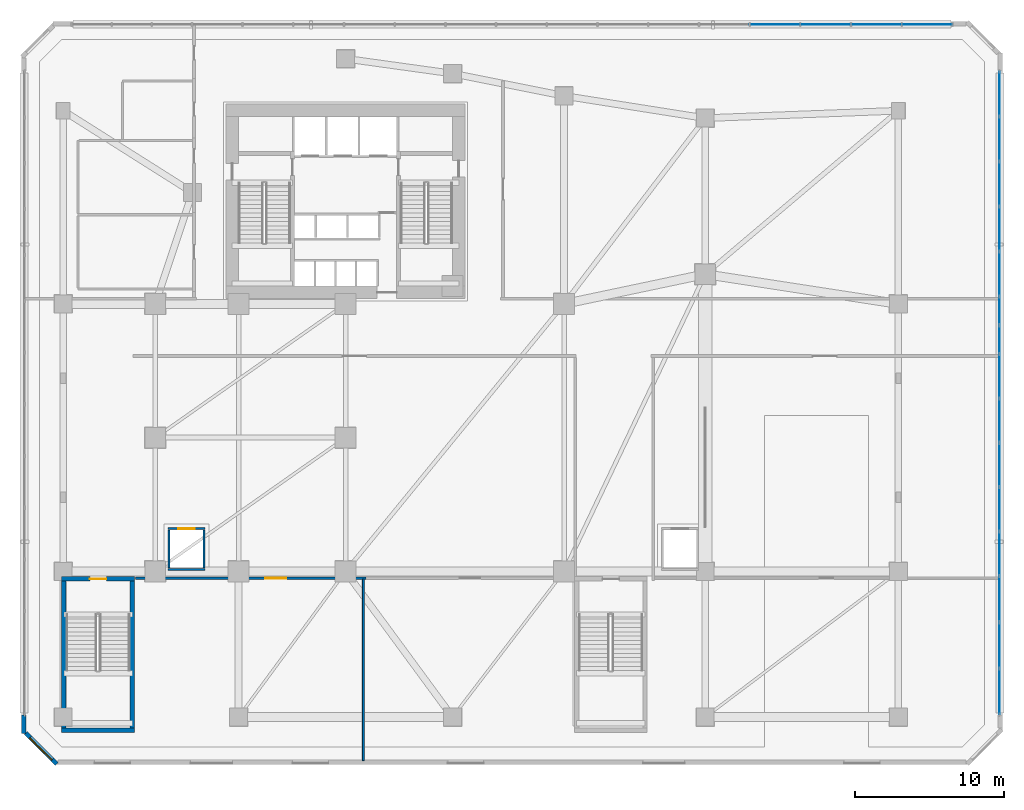
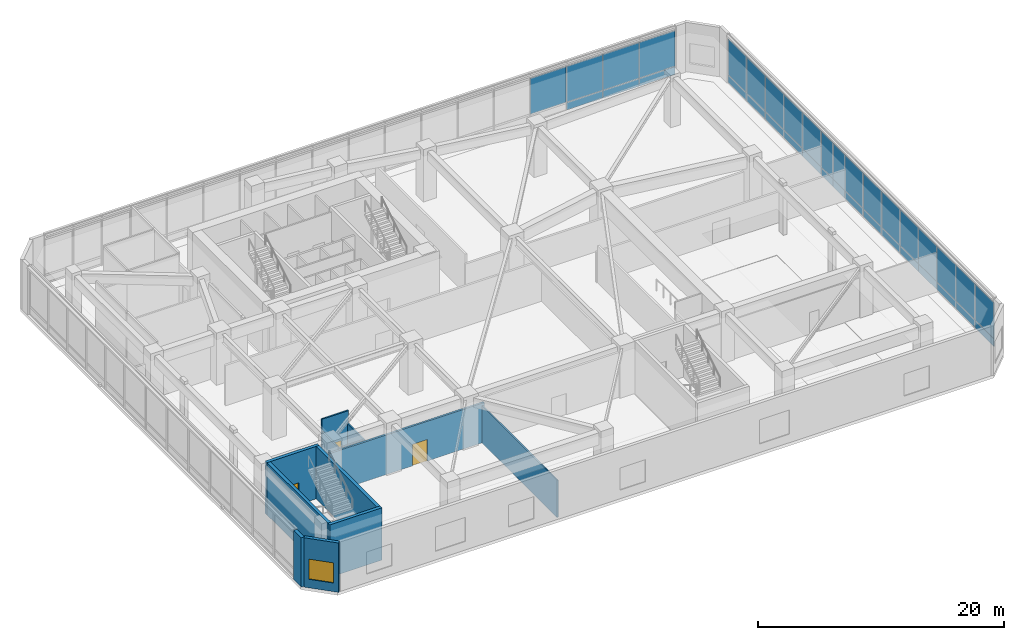
# One storey, part 9 of 18: 37 plates, 12 walls, 3 doors, 1 window, 4 openings, 2 elements without a shape of their own.
"""IFC4 building model written with IfcOpenShell, lengths in metres."""

from ifc_helpers import new_model, si_unit, direction, frame, frame_2d, origin, place, context, subcontext, project, spatial, rectangle, extrude, source, transform, mapped, material, layer, layer_set, type_object, element, fill, aggregate, save


model = new_model("IFC4")

# Units and contexts
model_context = context("Model", 3, precision=1e-05, world=origin(), true_north=direction((0.0, 1.0)))
body_context = subcontext(model_context, "Body", "Model", "MODEL_VIEW")
ifc_project = project(units=[si_unit("LENGTHUNIT", "METRE"), si_unit("AREAUNIT", "SQUARE_METRE"), si_unit("VOLUMEUNIT", "CUBIC_METRE"), si_unit("PLANEANGLEUNIT", "RADIAN"), si_unit("MASSUNIT", "GRAM", prefix="KILO")], contexts=[model_context])

# Site, building, storey
site_placement = place(None, origin())
site = spatial("IfcSite", under=ifc_project, at=site_placement, CompositionType="ELEMENT")
building_placement = place(site_placement, origin())
building = spatial("IfcBuilding", under=site, at=building_placement, Name="Calvemar Wedge Station Tower", CompositionType="ELEMENT")
storey_placement = place(building_placement, frame((0.0, 0.0, 11.199951171875)))
storey = spatial("IfcBuildingStorey", under=building, at=storey_placement, Name="L03", CompositionType="ELEMENT", Elevation=11.199951171875)

# Curtain wall, plates
ifc_material_1 = material(Name="Anodised aluminium 6063-T6", Category="aluminium")
curtain_wall_type = type_object("IfcCurtainWallType", Name="CW5", PredefinedType="NOTDEFINED", material=ifc_material_1)
curtain_wall_1_placement = place(storey_placement, origin())
curtain_wall_1 = element("IfcCurtainWall", 1, at=curtain_wall_1_placement, inside=storey, type_object=curtain_wall_type, Name="Storey L03 CW5 Recessed Unitised Curtain Wall 2", PredefinedType="NOTDEFINED")
ifc_material_2 = material(Name="Low-E laminated insulated glass", Category="glass")
ifc_layer_1 = layer(ifc_material_2, 0.028076171875)
ifc_layer_set_1 = layer_set([ifc_layer_1], Name="Low-E laminated insulated glass")
plate_type_1 = type_object("IfcPlateType", Name="CW5-GLZ", PredefinedType="CURTAIN_PANEL", material=ifc_layer_set_1)
plate_1_placement = place(storey_placement, frame((67.7900390625, 5.380126953125, 0.8701171875), z_axis=(0.0, 0.0, 1.0), x_axis=(0.0, 1.0, 0.0)))
plate_1 = element("IfcPlate", 2, at=plate_1_placement, type_object=plate_type_1, Name="CW5 vision glass panel 1", PredefinedType="CURTAIN_PANEL", context=body_context, shape_type="SweptSolid", body=[
    extrude(rectangle(XDim=3.0732421875, YDim=0.028076171875, at=frame_2d((1.53662109375, 0.0))), origin(), (0.0, 0.0, 1.0), 3.559814453125),
])
plate_2_placement = place(storey_placement, frame((67.7900390625, 8.489501953125, 0.8701171875), z_axis=(0.0, 0.0, 1.0), x_axis=(0.0, 1.0, 0.0)))
plate_2 = element("IfcPlate", 3, at=plate_2_placement, type_object=plate_type_1, Name="CW5 vision glass panel 2", PredefinedType="CURTAIN_PANEL", context=body_context, shape_type="SweptSolid", body=[
    extrude(rectangle(XDim=3.0732421875, YDim=0.028076171875, at=frame_2d((1.53662109375, 0.0))), origin(), (0.0, 0.0, 1.0), 3.559814453125),
])
plate_3_placement = place(storey_placement, frame((67.7900390625, 11.5986328125, 0.8701171875), z_axis=(0.0, 0.0, 1.0), x_axis=(0.0, 1.0, 0.0)))
plate_3 = element("IfcPlate", 4, at=plate_3_placement, type_object=plate_type_1, Name="CW5 vision glass panel 3", PredefinedType="CURTAIN_PANEL", context=body_context, shape_type="SweptSolid", body=[
    extrude(rectangle(XDim=3.073486328125, YDim=0.028076171875, at=frame_2d((1.53662109375, 0.0))), origin(), (0.0, 0.0, 1.0), 3.559814453125),
])
plate_4_placement = place(storey_placement, frame((67.7900390625, 14.7080078125, 0.8701171875), z_axis=(0.0, 0.0, 1.0), x_axis=(0.0, 1.0, 0.0)))
plate_4 = element("IfcPlate", 5, at=plate_4_placement, type_object=plate_type_1, Name="CW5 vision glass panel 4", PredefinedType="CURTAIN_PANEL", context=body_context, shape_type="SweptSolid", body=[
    extrude(rectangle(XDim=2.9541015625, YDim=0.028076171875, at=frame_2d((1.47705078125, 0.0))), origin(), (0.0, 0.0, 1.0), 3.559814453125),
])
plate_5_placement = place(storey_placement, frame((67.7900390625, 17.697998046875, 0.8701171875), z_axis=(0.0, 0.0, 1.0), x_axis=(0.0, 1.0, 0.0)))
plate_5 = element("IfcPlate", 6, at=plate_5_placement, type_object=plate_type_1, Name="CW5 vision glass panel 5", PredefinedType="CURTAIN_PANEL", context=body_context, shape_type="SweptSolid", body=[
    extrude(rectangle(XDim=2.9541015625, YDim=0.028076171875, at=frame_2d((1.47705078125, 0.0))), origin(), (0.0, 0.0, 1.0), 3.559814453125),
])
plate_6_placement = place(storey_placement, frame((67.7900390625, 20.68798828125, 0.8701171875), z_axis=(0.0, 0.0, 1.0), x_axis=(0.0, 1.0, 0.0)))
plate_6 = element("IfcPlate", 7, at=plate_6_placement, type_object=plate_type_1, Name="CW5 vision glass panel 6", PredefinedType="CURTAIN_PANEL", context=body_context, shape_type="SweptSolid", body=[
    extrude(rectangle(XDim=2.9541015625, YDim=0.028076171875, at=frame_2d((1.47705078125, 0.0))), origin(), (0.0, 0.0, 1.0), 3.559814453125),
])
plate_7_placement = place(storey_placement, frame((67.7900390625, 23.677978515625, 0.8701171875), z_axis=(0.0, 0.0, 1.0), x_axis=(0.0, 1.0, 0.0)))
plate_7 = element("IfcPlate", 8, at=plate_7_placement, type_object=plate_type_1, Name="CW5 vision glass panel 7", PredefinedType="CURTAIN_PANEL", context=body_context, shape_type="SweptSolid", body=[
    extrude(rectangle(XDim=2.9541015625, YDim=0.028076171875, at=frame_2d((1.47705078125, 0.0))), origin(), (0.0, 0.0, 1.0), 3.559814453125),
])
plate_8_placement = place(storey_placement, frame((67.7900390625, 26.66796875, 0.8701171875), z_axis=(0.0, 0.0, 1.0), x_axis=(0.0, 1.0, 0.0)))
plate_8 = element("IfcPlate", 9, at=plate_8_placement, type_object=plate_type_1, Name="CW5 vision glass panel 8", PredefinedType="CURTAIN_PANEL", context=body_context, shape_type="SweptSolid", body=[
    extrude(rectangle(XDim=2.9541015625, YDim=0.028076171875, at=frame_2d((1.47705078125, 0.0))), origin(), (0.0, 0.0, 1.0), 3.559814453125),
])
plate_9_placement = place(storey_placement, frame((67.7900390625, 29.657958984375, 0.8701171875), z_axis=(0.0, 0.0, 1.0), x_axis=(0.0, 1.0, 0.0)))
plate_9 = element("IfcPlate", 10, at=plate_9_placement, type_object=plate_type_1, Name="CW5 vision glass panel 9", PredefinedType="CURTAIN_PANEL", context=body_context, shape_type="SweptSolid", body=[
    extrude(rectangle(XDim=1.88916015625, YDim=0.028076171875, at=frame_2d((0.944580078125, 0.0))), origin(), (0.0, 0.0, 1.0), 3.559814453125),
])
plate_10_placement = place(storey_placement, frame((67.7900390625, 31.5830078125, 0.8701171875), z_axis=(0.0, 0.0, 1.0), x_axis=(0.0, 1.0, 0.0)))
plate_10 = element("IfcPlate", 11, at=plate_10_placement, type_object=plate_type_1, Name="CW5 vision glass panel 10", PredefinedType="CURTAIN_PANEL", context=body_context, shape_type="SweptSolid", body=[
    extrude(rectangle(XDim=1.888916015625, YDim=0.028076171875, at=frame_2d((0.9443359375, 0.0))), origin(), (0.0, 0.0, 1.0), 3.559814453125),
])
plate_11_placement = place(storey_placement, frame((67.7900390625, 33.508056640625, 0.8701171875), z_axis=(0.0, 0.0, 1.0), x_axis=(0.0, 1.0, 0.0)))
plate_11 = element("IfcPlate", 12, at=plate_11_placement, type_object=plate_type_1, Name="CW5 vision glass panel 11", PredefinedType="CURTAIN_PANEL", context=body_context, shape_type="SweptSolid", body=[
    extrude(rectangle(XDim=2.99365234375, YDim=0.028076171875, at=frame_2d((1.496826171875, 0.0))), origin(), (0.0, 0.0, 1.0), 3.559814453125),
])
plate_12_placement = place(storey_placement, frame((67.7900390625, 36.53759765625, 0.8701171875), z_axis=(0.0, 0.0, 1.0), x_axis=(0.0, 1.0, 0.0)))
plate_12 = element("IfcPlate", 13, at=plate_12_placement, type_object=plate_type_1, Name="CW5 vision glass panel 12", PredefinedType="CURTAIN_PANEL", context=body_context, shape_type="SweptSolid", body=[
    extrude(rectangle(XDim=2.99365234375, YDim=0.028076171875, at=frame_2d((1.496826171875, 0.0))), origin(), (0.0, 0.0, 1.0), 3.559814453125),
])
plate_13_placement = place(storey_placement, frame((67.7900390625, 39.567138671875, 0.8701171875), z_axis=(0.0, 0.0, 1.0), x_axis=(0.0, 1.0, 0.0)))
plate_13 = element("IfcPlate", 14, at=plate_13_placement, type_object=plate_type_1, Name="CW5 vision glass panel 13", PredefinedType="CURTAIN_PANEL", context=body_context, shape_type="SweptSolid", body=[
    extrude(rectangle(XDim=2.99365234375, YDim=0.028076171875, at=frame_2d((1.496826171875, 0.0))), origin(), (0.0, 0.0, 1.0), 3.559814453125),
])
plate_14_placement = place(storey_placement, frame((67.7900390625, 42.5966796875, 0.8701171875), z_axis=(0.0, 0.0, 1.0), x_axis=(0.0, 1.0, 0.0)))
plate_14 = element("IfcPlate", 15, at=plate_14_placement, type_object=plate_type_1, Name="CW5 vision glass panel 14", PredefinedType="CURTAIN_PANEL", context=body_context, shape_type="SweptSolid", body=[
    extrude(rectangle(XDim=2.99365234375, YDim=0.028076171875, at=frame_2d((1.496826171875, 0.0))), origin(), (0.0, 0.0, 1.0), 3.559814453125),
])
plate_15_placement = place(storey_placement, frame((67.7900390625, 45.626220703125, 0.8701171875), z_axis=(0.0, 0.0, 1.0), x_axis=(0.0, 1.0, 0.0)))
plate_15 = element("IfcPlate", 16, at=plate_15_placement, type_object=plate_type_1, Name="CW5 vision glass panel 15", PredefinedType="CURTAIN_PANEL", context=body_context, shape_type="SweptSolid", body=[
    extrude(rectangle(XDim=2.99365234375, YDim=0.028076171875, at=frame_2d((1.496826171875, 0.0))), origin(), (0.0, 0.0, 1.0), 3.559814453125),
])

curtain_wall_2_placement = place(storey_placement, origin())
curtain_wall_2 = element("IfcCurtainWall", 17, at=curtain_wall_2_placement, inside=storey, type_object=curtain_wall_type, Name="Storey L03 CW5 Recessed Unitised Curtain Wall 4", PredefinedType="NOTDEFINED")
plate_16_placement = place(storey_placement, frame((64.619873046875, 51.7900390625, 0.8701171875), z_axis=(0.0, 0.0, 1.0), x_axis=(-1.0, 0.0, 0.0)))
plate_16 = element("IfcPlate", 18, at=plate_16_placement, type_object=plate_type_1, Name="CW5 vision glass panel 1", PredefinedType="CURTAIN_PANEL", context=body_context, shape_type="SweptSolid", body=[
    extrude(rectangle(XDim=3.3759765625, YDim=0.028076171875, at=frame_2d((1.68798828125, 0.0))), origin(), (0.0, 0.0, 1.0), 3.559814453125),
])
plate_17_placement = place(storey_placement, frame((61.2080078125, 51.7900390625, 0.8701171875), z_axis=(0.0, 0.0, 1.0), x_axis=(-1.0, 0.0, 0.0)))
plate_17 = element("IfcPlate", 19, at=plate_17_placement, type_object=plate_type_1, Name="CW5 vision glass panel 2", PredefinedType="CURTAIN_PANEL", context=body_context, shape_type="SweptSolid", body=[
    extrude(rectangle(XDim=3.375732421875, YDim=0.028076171875, at=frame_2d((1.68798828125, 0.0))), origin(), (0.0, 0.0, 1.0), 3.559814453125),
])
plate_18_placement = place(storey_placement, frame((57.796142578125, 51.7900390625, 0.8701171875), z_axis=(0.0, 0.0, 1.0), x_axis=(-1.0, 0.0, 0.0)))
plate_18 = element("IfcPlate", 20, at=plate_18_placement, type_object=plate_type_1, Name="CW5 vision glass panel 3", PredefinedType="CURTAIN_PANEL", context=body_context, shape_type="SweptSolid", body=[
    extrude(rectangle(XDim=3.375732421875, YDim=0.028076171875, at=frame_2d((1.68798828125, 0.0))), origin(), (0.0, 0.0, 1.0), 3.559814453125),
])
plate_19_placement = place(storey_placement, frame((54.38427734375, 51.7900390625, 0.8701171875), z_axis=(0.0, 0.0, 1.0), x_axis=(-1.0, 0.0, 0.0)))
plate_19 = element("IfcPlate", 21, at=plate_19_placement, type_object=plate_type_1, Name="CW5 vision glass panel 4", PredefinedType="CURTAIN_PANEL", context=body_context, shape_type="SweptSolid", body=[
    extrude(rectangle(XDim=3.375732421875, YDim=0.028076171875, at=frame_2d((1.68798828125, 0.0))), origin(), (0.0, 0.0, 1.0), 3.559814453125),
])

# Plate
ifc_material_3 = material(Name="Oxidized bronze aluminium spandrel panel 5005-H24", Category="aluminium")
ifc_layer_2 = layer(ifc_material_3, 0.0400390625)
ifc_layer_set_2 = layer_set([ifc_layer_2], Name="Oxidized bronze aluminium spandrel panel 5005-H24")
plate_type_2 = type_object("IfcPlateType", Name="CW5-SPD", PredefinedType="SHEET", material=ifc_layer_set_2)
plate_20_placement = place(storey_placement, frame((67.7900390625, 5.380126953125, 0.080078125), z_axis=(0.0, 0.0, 1.0), x_axis=(0.0, 1.0, 0.0)))
plate_20 = element("IfcPlate", 22, at=plate_20_placement, type_object=plate_type_2, Name="CW5 bronze spandrel panel 1", PredefinedType="SHEET", context=body_context, shape_type="SweptSolid", body=[
    extrude(rectangle(XDim=3.0732421875, YDim=0.0400390625, at=frame_2d((1.53662109375, 0.0))), origin(), (0.0, 0.0, 1.0), 0.75),
])

plate_21_placement = place(storey_placement, frame((67.7900390625, 8.489501953125, 0.080078125), z_axis=(0.0, 0.0, 1.0), x_axis=(0.0, 1.0, 0.0)))
plate_21 = element("IfcPlate", 23, at=plate_21_placement, type_object=plate_type_2, Name="CW5 bronze spandrel panel 2", PredefinedType="SHEET", context=body_context, shape_type="SweptSolid", body=[
    extrude(rectangle(XDim=3.0732421875, YDim=0.0400390625, at=frame_2d((1.53662109375, 0.0))), origin(), (0.0, 0.0, 1.0), 0.75),
])

plate_22_placement = place(storey_placement, frame((67.7900390625, 11.5986328125, 0.080078125), z_axis=(0.0, 0.0, 1.0), x_axis=(0.0, 1.0, 0.0)))
plate_22 = element("IfcPlate", 24, at=plate_22_placement, type_object=plate_type_2, Name="CW5 bronze spandrel panel 3", PredefinedType="SHEET", context=body_context, shape_type="SweptSolid", body=[
    extrude(rectangle(XDim=3.073486328125, YDim=0.0400390625, at=frame_2d((1.53662109375, 0.0))), origin(), (0.0, 0.0, 1.0), 0.75),
])

plate_23_placement = place(storey_placement, frame((67.7900390625, 14.7080078125, 0.080078125), z_axis=(0.0, 0.0, 1.0), x_axis=(0.0, 1.0, 0.0)))
plate_23 = element("IfcPlate", 25, at=plate_23_placement, type_object=plate_type_2, Name="CW5 bronze spandrel panel 4", PredefinedType="SHEET", context=body_context, shape_type="SweptSolid", body=[
    extrude(rectangle(XDim=2.9541015625, YDim=0.0400390625, at=frame_2d((1.47705078125, 0.0))), origin(), (0.0, 0.0, 1.0), 0.75),
])

plate_24_placement = place(storey_placement, frame((67.7900390625, 17.697998046875, 0.080078125), z_axis=(0.0, 0.0, 1.0), x_axis=(0.0, 1.0, 0.0)))
plate_24 = element("IfcPlate", 26, at=plate_24_placement, type_object=plate_type_2, Name="CW5 bronze spandrel panel 5", PredefinedType="SHEET", context=body_context, shape_type="SweptSolid", body=[
    extrude(rectangle(XDim=2.9541015625, YDim=0.0400390625, at=frame_2d((1.47705078125, 0.0))), origin(), (0.0, 0.0, 1.0), 0.75),
])

plate_25_placement = place(storey_placement, frame((67.7900390625, 20.68798828125, 0.080078125), z_axis=(0.0, 0.0, 1.0), x_axis=(0.0, 1.0, 0.0)))
plate_25 = element("IfcPlate", 27, at=plate_25_placement, type_object=plate_type_2, Name="CW5 bronze spandrel panel 6", PredefinedType="SHEET", context=body_context, shape_type="SweptSolid", body=[
    extrude(rectangle(XDim=2.9541015625, YDim=0.0400390625, at=frame_2d((1.47705078125, 0.0))), origin(), (0.0, 0.0, 1.0), 0.75),
])

plate_26_placement = place(storey_placement, frame((67.7900390625, 23.677978515625, 0.080078125), z_axis=(0.0, 0.0, 1.0), x_axis=(0.0, 1.0, 0.0)))
plate_26 = element("IfcPlate", 28, at=plate_26_placement, type_object=plate_type_2, Name="CW5 bronze spandrel panel 7", PredefinedType="SHEET", context=body_context, shape_type="SweptSolid", body=[
    extrude(rectangle(XDim=2.9541015625, YDim=0.0400390625, at=frame_2d((1.47705078125, 0.0))), origin(), (0.0, 0.0, 1.0), 0.75),
])

plate_27_placement = place(storey_placement, frame((67.7900390625, 26.66796875, 0.080078125), z_axis=(0.0, 0.0, 1.0), x_axis=(0.0, 1.0, 0.0)))
plate_27 = element("IfcPlate", 29, at=plate_27_placement, type_object=plate_type_2, Name="CW5 bronze spandrel panel 8", PredefinedType="SHEET", context=body_context, shape_type="SweptSolid", body=[
    extrude(rectangle(XDim=2.9541015625, YDim=0.0400390625, at=frame_2d((1.47705078125, 0.0))), origin(), (0.0, 0.0, 1.0), 0.75),
])

plate_28_placement = place(storey_placement, frame((67.7900390625, 29.657958984375, 0.080078125), z_axis=(0.0, 0.0, 1.0), x_axis=(0.0, 1.0, 0.0)))
plate_28 = element("IfcPlate", 30, at=plate_28_placement, type_object=plate_type_2, Name="CW5 bronze spandrel panel 9", PredefinedType="SHEET", context=body_context, shape_type="SweptSolid", body=[
    extrude(rectangle(XDim=1.88916015625, YDim=0.0400390625, at=frame_2d((0.944580078125, 0.0))), origin(), (0.0, 0.0, 1.0), 0.75),
])

plate_29_placement = place(storey_placement, frame((67.7900390625, 31.5830078125, 0.080078125), z_axis=(0.0, 0.0, 1.0), x_axis=(0.0, 1.0, 0.0)))
plate_29 = element("IfcPlate", 31, at=plate_29_placement, type_object=plate_type_2, Name="CW5 bronze spandrel panel 10", PredefinedType="SHEET", context=body_context, shape_type="SweptSolid", body=[
    extrude(rectangle(XDim=1.888916015625, YDim=0.0400390625, at=frame_2d((0.9443359375, 0.0))), origin(), (0.0, 0.0, 1.0), 0.75),
])

plate_30_placement = place(storey_placement, frame((67.7900390625, 33.508056640625, 0.080078125), z_axis=(0.0, 0.0, 1.0), x_axis=(0.0, 1.0, 0.0)))
plate_30 = element("IfcPlate", 32, at=plate_30_placement, type_object=plate_type_2, Name="CW5 bronze spandrel panel 11", PredefinedType="SHEET", context=body_context, shape_type="SweptSolid", body=[
    extrude(rectangle(XDim=2.99365234375, YDim=0.0400390625, at=frame_2d((1.496826171875, 0.0))), origin(), (0.0, 0.0, 1.0), 0.75),
])

plate_31_placement = place(storey_placement, frame((67.7900390625, 36.53759765625, 0.080078125), z_axis=(0.0, 0.0, 1.0), x_axis=(0.0, 1.0, 0.0)))
plate_31 = element("IfcPlate", 33, at=plate_31_placement, type_object=plate_type_2, Name="CW5 bronze spandrel panel 12", PredefinedType="SHEET", context=body_context, shape_type="SweptSolid", body=[
    extrude(rectangle(XDim=2.99365234375, YDim=0.0400390625, at=frame_2d((1.496826171875, 0.0))), origin(), (0.0, 0.0, 1.0), 0.75),
])

plate_32_placement = place(storey_placement, frame((67.7900390625, 39.567138671875, 0.080078125), z_axis=(0.0, 0.0, 1.0), x_axis=(0.0, 1.0, 0.0)))
plate_32 = element("IfcPlate", 34, at=plate_32_placement, type_object=plate_type_2, Name="CW5 bronze spandrel panel 13", PredefinedType="SHEET", context=body_context, shape_type="SweptSolid", body=[
    extrude(rectangle(XDim=2.99365234375, YDim=0.0400390625, at=frame_2d((1.496826171875, 0.0))), origin(), (0.0, 0.0, 1.0), 0.75),
])

plate_33_placement = place(storey_placement, frame((67.7900390625, 42.5966796875, 0.080078125), z_axis=(0.0, 0.0, 1.0), x_axis=(0.0, 1.0, 0.0)))
plate_33 = element("IfcPlate", 35, at=plate_33_placement, type_object=plate_type_2, Name="CW5 bronze spandrel panel 14", PredefinedType="SHEET", context=body_context, shape_type="SweptSolid", body=[
    extrude(rectangle(XDim=2.99365234375, YDim=0.0400390625, at=frame_2d((1.496826171875, 0.0))), origin(), (0.0, 0.0, 1.0), 0.75),
])

plate_34_placement = place(storey_placement, frame((67.7900390625, 45.626220703125, 0.080078125), z_axis=(0.0, 0.0, 1.0), x_axis=(0.0, 1.0, 0.0)))
plate_34 = element("IfcPlate", 36, at=plate_34_placement, type_object=plate_type_2, Name="CW5 bronze spandrel panel 15", PredefinedType="SHEET", context=body_context, shape_type="SweptSolid", body=[
    extrude(rectangle(XDim=2.99365234375, YDim=0.0400390625, at=frame_2d((1.496826171875, 0.0))), origin(), (0.0, 0.0, 1.0), 0.75),
])

aggregate(curtain_wall_1, [plate_20, plate_1, plate_21, plate_2, plate_22, plate_3, plate_23, plate_4, plate_24, plate_5, plate_25, plate_6, plate_26, plate_7, plate_27, plate_8, plate_28, plate_9, plate_29, plate_10, plate_30, plate_11, plate_31, plate_12, plate_32, plate_13, plate_33, plate_14, plate_34, plate_15])

plate_35_placement = place(storey_placement, frame((64.619873046875, 51.7900390625, 0.080078125), z_axis=(0.0, 0.0, 1.0), x_axis=(-1.0, 0.0, 0.0)))
plate_35 = element("IfcPlate", 37, at=plate_35_placement, type_object=plate_type_2, Name="CW5 bronze spandrel panel 1", PredefinedType="SHEET", context=body_context, shape_type="SweptSolid", body=[
    extrude(rectangle(XDim=3.3759765625, YDim=0.0400390625, at=frame_2d((1.68798828125, 0.0))), origin(), (0.0, 0.0, 1.0), 0.75),
])

plate_36_placement = place(storey_placement, frame((61.2080078125, 51.7900390625, 0.080078125), z_axis=(0.0, 0.0, 1.0), x_axis=(-1.0, 0.0, 0.0)))
plate_36 = element("IfcPlate", 38, at=plate_36_placement, type_object=plate_type_2, Name="CW5 bronze spandrel panel 2", PredefinedType="SHEET", context=body_context, shape_type="SweptSolid", body=[
    extrude(rectangle(XDim=3.375732421875, YDim=0.0400390625, at=frame_2d((1.68798828125, 0.0))), origin(), (0.0, 0.0, 1.0), 0.75),
])

plate_37_placement = place(storey_placement, frame((57.796142578125, 51.7900390625, 0.080078125), z_axis=(0.0, 0.0, 1.0), x_axis=(-1.0, 0.0, 0.0)))
plate_37 = element("IfcPlate", 39, at=plate_37_placement, type_object=plate_type_2, Name="CW5 bronze spandrel panel 3", PredefinedType="SHEET", context=body_context, shape_type="SweptSolid", body=[
    extrude(rectangle(XDim=3.375732421875, YDim=0.0400390625, at=frame_2d((1.68798828125, 0.0))), origin(), (0.0, 0.0, 1.0), 0.75),
])

aggregate(curtain_wall_2, [plate_35, plate_16, plate_36, plate_17, plate_37, plate_18, plate_19])

# Walls
ifc_material_4 = material(Name="Concrete C50", Category="concrete")
ifc_layer_3 = layer(ifc_material_4, 0.300048828125)
ifc_layer_set_3 = layer_set([ifc_layer_3], Name="Concrete C50")
wall_type_1 = type_object("IfcWallType", Name="SW-CORE-300", PredefinedType="SHEAR", material=ifc_layer_set_3)
for number, where, z_axis, x_axis, name in (
    (40, (4.85009765625, 4.449951171875, 0.0), (0.0, 0.0, 1.0), (0.0, 1.0, 0.0), "Storey L03 Podium Stair STP1 Structural Wall W"),
    (41, (9.449951171875, 4.449951171875, 0.0), (0.0, 0.0, 1.0), (0.0, 1.0, 0.0), "Storey L03 Podium Stair STP1 Structural Wall E"),
):
    element("IfcWall", number, at=place(storey_placement, frame(where, z_axis=z_axis, x_axis=x_axis)), inside=storey, type_object=wall_type_1, Name=name, PredefinedType="SHEAR", context=body_context, shape_type="SweptSolid", body=[
        extrude(rectangle(XDim=9.900146484375, YDim=0.300048828125, at=frame_2d((4.9501953125, 0.0))), origin(), (0.0, 0.0, 1.0), 5.199951171875),
    ])
wall_1_placement = place(storey_placement, frame((4.699951171875, 4.300048828125, 0.0), z_axis=(0.0, 0.0, 1.0), x_axis=(1.0, 0.0, 0.0)))
element("IfcWall", 42, at=wall_1_placement, inside=storey, type_object=wall_type_1, Name="Storey L03 Podium Stair STP1 Structural Wall S", PredefinedType="SHEAR", context=body_context, shape_type="SweptSolid", body=[
    extrude(rectangle(XDim=4.900146484375, YDim=0.300048828125, at=frame_2d((2.4501953125, 0.0))), origin(), (0.0, 0.0, 1.0), 5.199951171875),
])

# Wall, opening, door
wall_2_placement = place(storey_placement, frame((4.699951171875, 14.5, 0.0), z_axis=(0.0, 0.0, 1.0), x_axis=(1.0, 0.0, 0.0)))
wall_2 = element("IfcWall", 43, at=wall_2_placement, inside=storey, type_object=wall_type_1, Name="Storey L03 Podium Stair STP1 Structural Wall N", PredefinedType="SHEAR", context=body_context, shape_type="SweptSolid", body=[
    extrude(rectangle(XDim=4.900146484375, YDim=0.300048828125, at=frame_2d((2.4501953125, 0.0))), origin(), (0.0, 0.0, 1.0), 5.199951171875),
])
shared_shape_1 = source(origin(), body_context, "Body", "SweptSolid", [
    extrude(rectangle(XDim=1.10009765625, YDim=2.14990234375, at=frame_2d((0.550048828125, 1.074951171875))), frame((0.0, 0.16015625, 0.0), z_axis=(0.0, -1.0, 0.0), x_axis=(1.0, 0.0, 0.0)), (0.0, 0.0, 1.0), 0.320068359375),
])
opening_1_placement = place(wall_2_placement, frame((1.89990234375, 0.0, 0.0)))
opening_1 = element("IfcOpeningElement", 44, at=opening_1_placement, cuts=wall_2, Name="Opening FD-90", PredefinedType="OPENING", context=body_context, shape_type="MappedRepresentation", body=[
    mapped(shared_shape_1, transform((0.0, 0.0, 0.0), scale=1.0)),
])
ifc_material_5 = material(Name="Galvanized fire-rated steel door leaf P-90", Category="steel")
door_type_1 = type_object("IfcDoorType", Name="DR-FD90-1100", OperationType="NOTDEFINED", PredefinedType="DOOR", material=ifc_material_5)
shared_shape_2 = source(origin(), body_context, "Body", "SweptSolid", [
    extrude(rectangle(XDim=1.10009765625, YDim=2.14990234375, at=frame_2d((0.550048828125, 1.074951171875))), frame((0.0, 0.02490234375, 0.0), z_axis=(0.0, -1.0, 0.0), x_axis=(1.0, 0.0, 0.0)), (0.0, 0.0, 1.0), 0.050048828125),
])
door_1_placement = place(opening_1_placement, origin())
door_1 = element("IfcDoor", 45, at=door_1_placement, inside=storey, type_object=door_type_1, Name="L03 Exit Stair ST-P1 Door", OperationType="SINGLE_SWING_LEFT", OverallHeight=2.14990234375, OverallWidth=1.10009765625, PredefinedType="DOOR", context=body_context, shape_type="MappedRepresentation", body=[
    mapped(shared_shape_2, transform((0.0, 0.0, 0.0), scale=1.0)),
])
fill(opening_1, door_1)

ifc_material_6 = material(Name="Double-stud fire-rated corridor partition")
ifc_layer_4 = layer(ifc_material_6, 0.179931640625)
ifc_layer_set_4 = layer_set([ifc_layer_4], Name="Double-stud fire-rated corridor partition")
wall_type_2 = type_object("IfcWallType", Name="W-CORR-180", PredefinedType="PARTITIONING", material=ifc_layer_set_4)
wall_3_placement = place(storey_placement, frame((25.159912109375, 14.550048828125, 0.0), z_axis=(0.0, 0.0, 1.0), x_axis=(-1.0, 0.0, 0.0)))
wall_3 = element("IfcWall", 46, at=wall_3_placement, inside=storey, type_object=wall_type_2, Name="Storey L03 Interior Partition WL-L03-022", PredefinedType="PARTITIONING", context=body_context, shape_type="SweptSolid", body=[
    extrude(rectangle(XDim=15.489990234375, YDim=0.179931640625, at=frame_2d((7.7451171875, 0.0))), origin(), (0.0, 0.0, 1.0), 3.942138671875),
])
shared_shape_3 = source(origin(), body_context, "Body", "SweptSolid", [
    extrude(rectangle(XDim=1.39990234375, YDim=2.14990234375, at=frame_2d((0.699951171875, 1.074951171875))), frame((0.0, 0.10009765625, 0.0), z_axis=(0.0, -1.0, 0.0), x_axis=(1.0, 0.0, 0.0)), (0.0, 0.0, 1.0), 0.199951171875),
])
opening_2_placement = place(wall_3_placement, frame((5.353759765625, 0.0, 0.0)))
opening_2 = element("IfcOpeningElement", 47, at=opening_2_placement, cuts=wall_3, Name="Opening DD-140", PredefinedType="OPENING", context=body_context, shape_type="MappedRepresentation", body=[
    mapped(shared_shape_3, transform((0.0, 0.0, 0.0), scale=1.0)),
])
ifc_material_7 = material(Name="Double-leaf corridor acoustic fire door EI 60")
door_type_2 = type_object("IfcDoorType", Name="DR-DBL-1400", OperationType="DOUBLE_DOOR_SINGLE_SWING", PredefinedType="DOOR", material=ifc_material_7)
shared_shape_4 = source(origin(), body_context, "Body", "SweptSolid", [
    extrude(rectangle(XDim=1.39990234375, YDim=2.14990234375, at=frame_2d((0.699951171875, 1.074951171875))), frame((0.0, 0.02490234375, 0.0), z_axis=(0.0, -1.0, 0.0), x_axis=(1.0, 0.0, 0.0)), (0.0, 0.0, 1.0), 0.050048828125),
])
door_2_placement = place(opening_2_placement, origin())
door_2 = element("IfcDoor", 48, at=door_2_placement, inside=storey, type_object=door_type_2, Name="L03 Conference Seminar Room 1 Door", OperationType="SINGLE_SWING_RIGHT", OverallHeight=2.14990234375, OverallWidth=1.39990234375, PredefinedType="DOOR", context=body_context, shape_type="MappedRepresentation", body=[
    mapped(shared_shape_4, transform((0.0, 0.0, 0.0), scale=1.0)),
])
fill(opening_2, door_2)

# Wall
ifc_material_8 = material(Name="Precast concrete C45", Category="concrete")
ifc_layer_5 = layer(ifc_material_8, 0.300048828125)
ifc_layer_set_5 = layer_set([ifc_layer_5], Name="Precast concrete C45")
wall_type_3 = type_object("IfcWallType", Name="W-EXT-GFRC-300", PredefinedType="SOLIDWALL", material=ifc_layer_set_5)
wall_4_placement = place(storey_placement, frame((2.14990234375, 5.334716796875, 0.0), z_axis=(0.0, 0.0, 1.0), x_axis=(0.0, -1.0, 0.0)))
element("IfcWall", 49, at=wall_4_placement, inside=storey, type_object=wall_type_3, Name="Storey L03 Bronze GFRC Corner Pier 6B", PredefinedType="SOLIDWALL", context=body_context, shape_type="SweptSolid", body=[
    extrude(rectangle(XDim=1.22265625, YDim=0.300048828125, at=frame_2d((0.611328125, 0.0))), origin(), (0.0, 0.0, 1.0), 4.900146484375),
])

# Wall, opening, window
wall_5_placement = place(storey_placement, frame((2.2880859375, 4.1240234375, 0.0), z_axis=(0.0, 0.0, 1.0), x_axis=(0.707106781187, -0.707106781187, 0.0)))
wall_5 = element("IfcWall", 50, at=wall_5_placement, inside=storey, type_object=wall_type_3, Name="Storey L03 Bronze GFRC Exterior Wall 7", PredefinedType="SOLIDWALL", context=body_context, shape_type="SweptSolid", body=[
    extrude(rectangle(XDim=2.941650390625, YDim=0.300048828125, at=frame_2d((1.470703125, 0.0))), origin(), (0.0, 0.0, 1.0), 4.900146484375),
])
shared_shape_5 = source(origin(), body_context, "Body", "SweptSolid", [
    extrude(rectangle(XDim=2.10009765625, YDim=2.0, at=frame_2d((1.050048828125, 1.0))), frame((0.0, 0.16015625, 0.0), z_axis=(0.0, -1.0, 0.0), x_axis=(1.0, 0.0, 0.0)), (0.0, 0.0, 1.0), 0.320068359375),
])
opening_3_placement = place(wall_5_placement, frame((0.4208984375, 0.0, 0.85009765625)))
opening_3 = element("IfcOpeningElement", 51, at=opening_3_placement, cuts=wall_5, Name="Opening W4", PredefinedType="OPENING", context=body_context, shape_type="MappedRepresentation", body=[
    mapped(shared_shape_5, transform((0.0, 0.0, 0.0), scale=1.0)),
])
window_type = type_object("IfcWindowType", Name="WIN-EXT-4", PartitioningType="SINGLE_PANEL", PredefinedType="WINDOW", material=ifc_material_2)
shared_shape_6 = source(origin(), body_context, "Body", "SweptSolid", [
    extrude(rectangle(XDim=2.10009765625, YDim=2.0, at=frame_2d((1.050048828125, 1.0))), frame((0.0, -0.014892578125, 0.0), z_axis=(0.0, -1.0, 0.0), x_axis=(1.0, 0.0, 0.0)), (0.0, 0.0, 1.0), 0.06005859375),
])
window_placement = place(opening_3_placement, origin())
window = element("IfcWindow", 52, at=window_placement, inside=storey, type_object=window_type, Name="Storey L03 Recessed Window 7.1", OverallHeight=2.0, OverallWidth=2.10009765625, PartitioningType="SINGLE_PANEL", PredefinedType="WINDOW", context=body_context, shape_type="MappedRepresentation", body=[
    mapped(shared_shape_6, transform((0.0, 0.0, 0.0), scale=1.0)),
])
fill(opening_3, window)

# Wall, opening, door
ifc_material_9 = material(Name="Reinforced concrete blockwork lift shaft wall", Category="masonry")
ifc_layer_6 = layer(ifc_material_9, 0.139892578125)
ifc_layer_set_6 = layer_set([ifc_layer_6], Name="Reinforced concrete blockwork lift shaft wall")
wall_type_4 = type_object("IfcWallType", Name="W-LIFT-160", PredefinedType="SOLIDWALL", material=ifc_layer_set_6)
wall_6_placement = place(storey_placement, frame((11.85009765625, 17.8798828125, 0.0), z_axis=(0.0, 0.0, 1.0), x_axis=(1.0, 0.0, 0.0)))
wall_6 = element("IfcWall", 53, at=wall_6_placement, inside=storey, type_object=wall_type_4, Name="Storey L03 Station Lift SL-01 Shaft Wall N", PredefinedType="SOLIDWALL", context=body_context, shape_type="SweptSolid", body=[
    extrude(rectangle(XDim=2.5, YDim=0.139892578125, at=frame_2d((1.25, 0.0))), origin(), (0.0, 0.0, 1.0), 4.900146484375),
])
shared_shape_7 = source(origin(), body_context, "Body", "SweptSolid", [
    extrude(rectangle(XDim=1.10009765625, YDim=2.14990234375, at=frame_2d((0.550048828125, 1.074951171875))), frame((0.0, 0.080078125, 0.0), z_axis=(0.0, -1.0, 0.0), x_axis=(1.0, 0.0, 0.0)), (0.0, 0.0, 1.0), 0.159912109375),
])
opening_4_placement = place(wall_6_placement, frame((0.699951171875, 0.0, 0.0)))
opening_4 = element("IfcOpeningElement", 54, at=opening_4_placement, cuts=wall_6, Name="Opening LD-STN", PredefinedType="OPENING", context=body_context, shape_type="MappedRepresentation", body=[
    mapped(shared_shape_7, transform((0.0, 0.0, 0.0), scale=1.0)),
])
ifc_material_10 = material(Name="Stainless steel transit lift sliding landing door", Category="steel")
door_type_3 = type_object("IfcDoorType", Name="DR-LD-PAX-1100", OperationType="SLIDING_TO_LEFT", PredefinedType="DOOR", material=ifc_material_10)
shared_shape_8 = source(origin(), body_context, "Body", "SweptSolid", [
    extrude(rectangle(XDim=1.10009765625, YDim=2.14990234375, at=frame_2d((0.550048828125, 1.074951171875))), frame((0.0, 0.02490234375, 0.0), z_axis=(0.0, -1.0, 0.0), x_axis=(1.0, 0.0, 0.0)), (0.0, 0.0, 1.0), 0.050048828125),
])
door_3_placement = place(opening_4_placement, origin())
door_3 = element("IfcDoor", 55, at=door_3_placement, inside=storey, type_object=door_type_3, Name="L03 Station Lift SL-01 Sliding Landing Door", OperationType="SLIDING_TO_LEFT", OverallHeight=2.14990234375, OverallWidth=1.10009765625, PredefinedType="DOOR", context=body_context, shape_type="MappedRepresentation", body=[
    mapped(shared_shape_8, transform((0.0, 0.0, 0.0), scale=1.0)),
])
fill(opening_4, door_3)

# Walls
wall_7_placement = place(storey_placement, frame((11.85009765625, 15.1201171875, 0.0), z_axis=(0.0, 0.0, 1.0), x_axis=(1.0, 0.0, 0.0)))
element("IfcWall", 56, at=wall_7_placement, inside=storey, type_object=wall_type_4, Name="Storey L03 Station Lift SL-01 Shaft Wall S", PredefinedType="SOLIDWALL", context=body_context, shape_type="SweptSolid", body=[
    extrude(rectangle(XDim=2.5, YDim=0.139892578125, at=frame_2d((1.25, 0.0))), origin(), (0.0, 0.0, 1.0), 3.692138671875),
])
for number, where, z_axis, x_axis, name in (
    (57, (11.919921875, 15.219970703125, 0.0), (0.0, 0.0, 1.0), (0.0, 1.0, 0.0), "Storey L03 Station Lift SL-01 Shaft Wall W"),
    (58, (14.280029296875, 15.219970703125, 0.0), (0.0, 0.0, 1.0), (0.0, 1.0, 0.0), "Storey L03 Station Lift SL-01 Shaft Wall E"),
):
    element("IfcWall", number, at=place(storey_placement, frame(where, z_axis=z_axis, x_axis=x_axis)), inside=storey, type_object=wall_type_4, Name=name, PredefinedType="SOLIDWALL", context=body_context, shape_type="SweptSolid", body=[
        extrude(rectangle(XDim=2.56005859375, YDim=0.139892578125, at=frame_2d((1.280029296875, 0.0))), origin(), (0.0, 0.0, 1.0), 3.692138671875),
    ])
ifc_material_11 = material(Name="Insulated acoustic gypsum stud partition")
ifc_layer_7 = layer(ifc_material_11, 0.125)
ifc_layer_set_7 = layer_set([ifc_layer_7], Name="Insulated acoustic gypsum stud partition")
wall_type_5 = type_object("IfcWallType", Name="W-PART-125", PredefinedType="PARTITIONING", material=ifc_layer_set_7)
wall_8_placement = place(storey_placement, frame((25.0, 14.4833984375, 0.0), z_axis=(0.0, 0.0, 1.0), x_axis=(0.0, -1.0, 0.0)))
element("IfcWall", 59, at=wall_8_placement, inside=storey, type_object=wall_type_5, Name="Storey L03 Interior Partition WL-L03-025", PredefinedType="PARTITIONING", context=body_context, shape_type="SweptSolid", body=[
    extrude(rectangle(XDim=12.218505859375, YDim=0.125, at=frame_2d((6.109375, 0.0))), origin(), (0.0, 0.0, 1.0), 3.692138671875),
])

save(model, "model.ifc")
